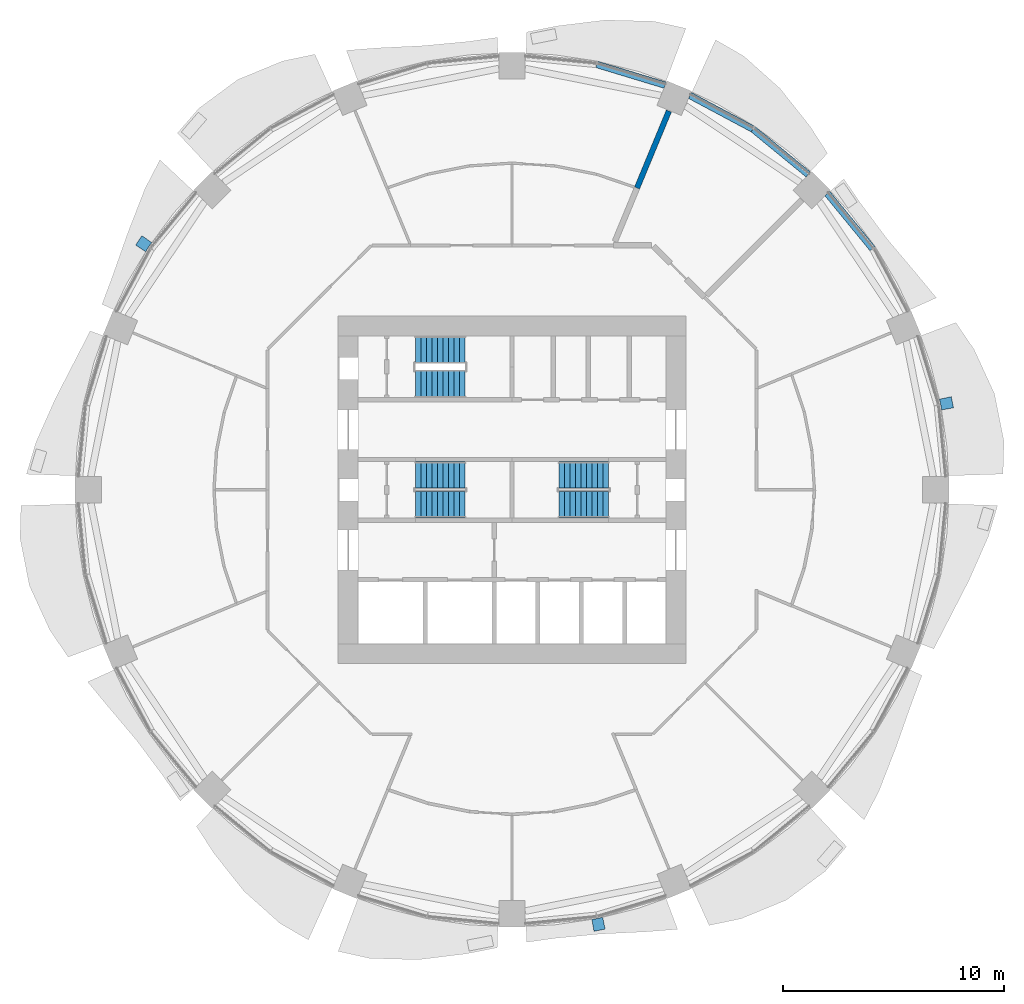
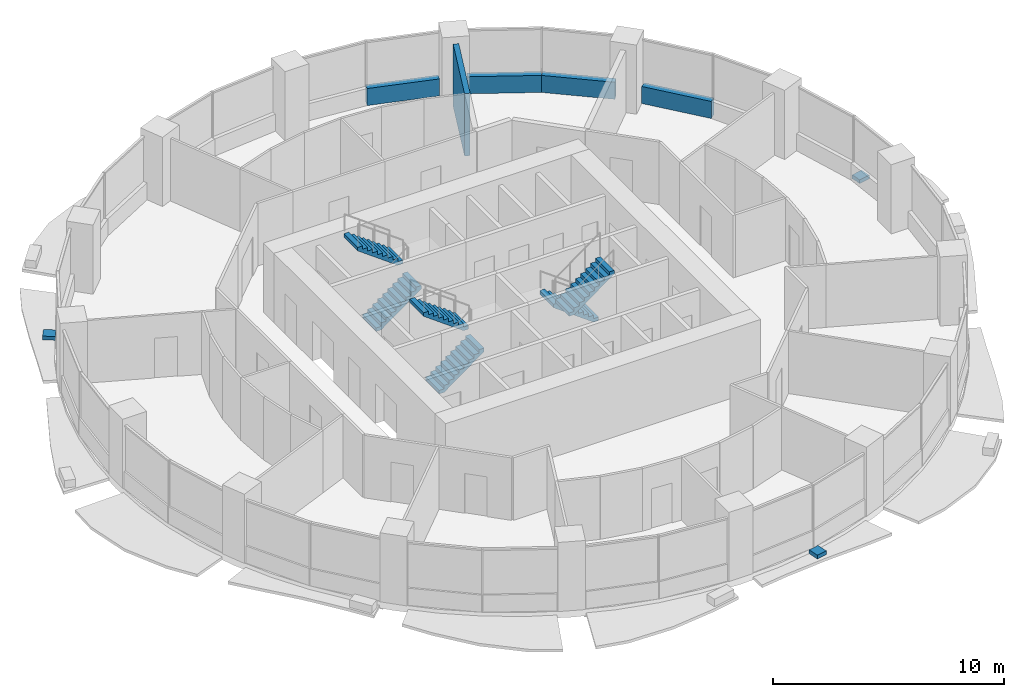
# One storey, part 11 of 15: 6 stair flights, 5 walls, 3 discrete accessories, 3 elements without a shape of their own.
"""IFC4 building model written with IfcOpenShell, lengths in metres."""

from ifc_helpers import new_model, si_unit, direction, frame, frame_2d, origin, place, context, subcontext, project, spatial, polyline, rectangle, outline, extrude, material, layer, layer_set, type_object, element, aggregate, save


model = new_model("IFC4")

# Units and contexts
model_context = context("Model", 3, precision=1e-05, world=origin(), true_north=direction((0.0, 1.0)))
body_context = subcontext(model_context, "Body", "Model", "MODEL_VIEW")
ifc_project = project(units=[si_unit("LENGTHUNIT", "METRE"), si_unit("AREAUNIT", "SQUARE_METRE"), si_unit("VOLUMEUNIT", "CUBIC_METRE"), si_unit("PLANEANGLEUNIT", "RADIAN"), si_unit("MASSUNIT", "GRAM", prefix="KILO")], contexts=[model_context])

# Site, building, storey
site_placement = place(None, origin())
site = spatial("IfcSite", under=ifc_project, at=site_placement, CompositionType="ELEMENT")
building_placement = place(site_placement, origin())
building = spatial("IfcBuilding", under=site, at=building_placement, Name="Polderwave Tower", CompositionType="ELEMENT")
storey_placement = place(building_placement, frame((0.0, 0.0, 33.5)))
storey = spatial("IfcBuildingStorey", under=building, at=storey_placement, Name="L08", CompositionType="ELEMENT", Elevation=33.5)

# Walls
ifc_material_1 = material(Name="Concrete C50/60 (board-marked)", Category="concrete")
ifc_layer_1 = layer(ifc_material_1, 0.300048828125)
ifc_layer_set_1 = layer_set([ifc_layer_1], Name="Concrete spandrel upstand C50/60")
wall_type_1 = type_object("IfcWallType", Name="Concrete spandrel upstand C50/60", PredefinedType="SOLIDWALL", material=ifc_layer_set_1)
for number, where, z_axis, x_axis, name in (
    (1, (16.32861328125, 10.9287109375, 0.0), (0.0, 0.0, 1.0), (-0.634380496993, 0.773020947345, 0.0), "Spandrel L08 2b"),
    (2, (13.41845703125, 14.285400390625, 0.0), (0.0, 0.0, 1.0), (-0.773020947345, 0.634380496993, 0.0), "Spandrel L08 3a"),
):
    element("IfcWall", number, at=place(storey_placement, frame(where, z_axis=z_axis, x_axis=x_axis)), inside=storey, type_object=wall_type_1, Name=name, PredefinedType="SOLIDWALL", context=body_context, shape_type="SweptSolid", body=[
        extrude(rectangle(XDim=3.220703125, YDim=0.300048828125, at=frame_2d((1.6103515625, 0.0))), origin(), (0.0, 0.0, 1.0), 0.89990234375),
    ])
wall_1_placement = place(storey_placement, frame((10.90380859375, 16.34521484375, 0.0), z_axis=(0.0, 0.0, 1.0), x_axis=(-0.882016961449, 0.471217656413, 0.0)))
element("IfcWall", 3, at=wall_1_placement, inside=storey, type_object=wall_type_1, Name="Spandrel L08 3b", PredefinedType="SOLIDWALL", context=body_context, shape_type="SweptSolid", body=[
    extrude(rectangle(XDim=3.220458984375, YDim=0.300048828125, at=frame_2d((1.6103515625, 0.0))), origin(), (0.0, 0.0, 1.0), 0.89990234375),
])
wall_2_placement = place(storey_placement, frame((6.9296875, 18.33251953125, 0.0), z_axis=(0.0, 0.0, 1.0), x_axis=(-0.956935111364, 0.290301899131, 0.0)))
element("IfcWall", 4, at=wall_2_placement, inside=storey, type_object=wall_type_1, Name="Spandrel L08 4a", PredefinedType="SOLIDWALL", context=body_context, shape_type="SweptSolid", body=[
    extrude(rectangle(XDim=3.220947265625, YDim=0.300048828125, at=frame_2d((1.6103515625, 0.0))), origin(), (0.0, 0.0, 1.0), 0.89990234375),
])
ifc_material_2 = material(Name="Fire-resisting board on steel studs, mineral wool", Category="steel")
ifc_layer_2 = layer(ifc_material_2, 0.25)
ifc_layer_set_2 = layer_set([ifc_layer_2], Name="Plant room wall 250 mm EI 120")
wall_type_2 = type_object("IfcWallType", Name="Plant room wall 250 mm EI 120", PredefinedType="PARTITIONING", material=ifc_layer_set_2)
wall_3_placement = place(storey_placement, frame((5.663818359375, 13.67333984375, 0.0), z_axis=(0.0, 0.0, 1.0), x_axis=(0.38265110277, 0.923892923205, 0.0)))
element("IfcWall", 5, at=wall_3_placement, inside=storey, type_object=wall_type_2, Name="IN-L08-W034", PredefinedType="PARTITIONING", context=body_context, shape_type="SweptSolid", body=[
    extrude(rectangle(XDim=3.77001953125, YDim=0.25, at=frame_2d((1.885009765625, 0.0))), origin(), (0.0, 0.0, 1.0), 3.300048828125),
])

# Stair, stair flights
ifc_material_3 = material(Name="Concrete C40/50", Category="concrete")
stair_type = type_object("IfcStairType", Name="Exit stair 1200 x 20 risers", PredefinedType="HALF_TURN_STAIR", material=ifc_material_3)
stair_1_placement = place(storey_placement, origin())
stair_1 = element("IfcStair", 6, at=stair_1_placement, inside=storey, type_object=stair_type, Name="L08 Exit stair A", PredefinedType="HALF_TURN_STAIR")
stair_flight_type = type_object("IfcStairFlightType", Name="Stair flight 1200", PredefinedType="STRAIGHT", material=ifc_material_3)
stair_flight_1_placement = place(storey_placement, frame((-4.3740234375, -0.675048828125, 0.0), z_axis=(0.0, 0.0, 1.0), x_axis=(1.0, 0.0, 0.0)))
stair_flight_1 = element("IfcStairFlight", 7, at=stair_flight_1_placement, type_object=stair_flight_type, Name="ST-A flight 1", NumberOfRisers=10, NumberOfTreads=9, PredefinedType="STRAIGHT", RiserHeight=0.1825, TreadLength=0.25, context=body_context, shape_type="SweptSolid", body=[
    extrude(outline(polyline([(0.0, 0.0), (0.0, 0.1826171875), (0.25, 0.1826171875), (0.25, 0.364990234375), (0.5, 0.364990234375), (0.5, 0.547607421875), (0.75, 0.547607421875), (0.75, 0.72998046875), (1.0, 0.72998046875), (1.0, 0.91259765625), (1.25, 0.91259765625), (1.25, 1.094970703125), (1.5, 1.094970703125), (1.5, 1.277587890625), (1.75, 1.277587890625), (1.75, 1.4599609375), (2.0, 1.4599609375), (2.0, 1.642578125), (2.25, 1.642578125), (2.25, 1.824951171875), (2.25, 1.456787109375), (0.254150390625, 0.0), (0.0, 0.0)])), frame((0.0, 0.60009765625, 0.0), z_axis=(0.0, -1.0, 0.0), x_axis=(1.0, 0.0, 0.0)), (0.0, 0.0, 1.0), 1.199951171875),
])
stair_flight_2_placement = place(storey_placement, frame((-2.1240234375, 0.675048828125, 1.824951171875), z_axis=(0.0, 0.0, 1.0), x_axis=(-1.0, 0.0, 0.0)))
stair_flight_2 = element("IfcStairFlight", 8, at=stair_flight_2_placement, type_object=stair_flight_type, Name="ST-A flight 2", NumberOfRisers=10, NumberOfTreads=9, PredefinedType="STRAIGHT", RiserHeight=0.1825, TreadLength=0.25, context=body_context, shape_type="SweptSolid", body=[
    extrude(outline(polyline([(0.0, 0.0), (0.0, 0.1826171875), (0.25, 0.1826171875), (0.25, 0.364990234375), (0.5, 0.364990234375), (0.5, 0.547607421875), (0.75, 0.547607421875), (0.75, 0.72998046875), (1.0, 0.72998046875), (1.0, 0.91259765625), (1.25, 0.91259765625), (1.25, 1.094970703125), (1.5, 1.094970703125), (1.5, 1.277587890625), (1.75, 1.277587890625), (1.75, 1.4599609375), (2.0, 1.4599609375), (2.0, 1.642578125), (2.25, 1.642578125), (2.25, 1.824951171875), (2.25, 1.456787109375), (0.254150390625, 0.0), (0.0, 0.0)])), frame((0.0, 0.60009765625, 0.0), z_axis=(0.0, -1.0, 0.0), x_axis=(1.0, 0.0, 0.0)), (0.0, 0.0, 1.0), 1.199951171875),
])
aggregate(stair_1, [stair_flight_1, stair_flight_2])

stair_2_placement = place(storey_placement, origin())
stair_2 = element("IfcStair", 9, at=stair_2_placement, inside=storey, type_object=stair_type, Name="L08 Exit stair B", PredefinedType="HALF_TURN_STAIR")
stair_flight_3_placement = place(storey_placement, frame((4.3740234375, 0.675048828125, 0.0), z_axis=(0.0, 0.0, 1.0), x_axis=(-1.0, 0.0, 0.0)))
stair_flight_3 = element("IfcStairFlight", 10, at=stair_flight_3_placement, type_object=stair_flight_type, Name="ST-B flight 1", NumberOfRisers=10, NumberOfTreads=9, PredefinedType="STRAIGHT", RiserHeight=0.1825, TreadLength=0.25, context=body_context, shape_type="SweptSolid", body=[
    extrude(outline(polyline([(0.0, 0.0), (0.0, 0.1826171875), (0.25, 0.1826171875), (0.25, 0.364990234375), (0.5, 0.364990234375), (0.5, 0.547607421875), (0.75, 0.547607421875), (0.75, 0.72998046875), (1.0, 0.72998046875), (1.0, 0.91259765625), (1.25, 0.91259765625), (1.25, 1.094970703125), (1.5, 1.094970703125), (1.5, 1.277587890625), (1.75, 1.277587890625), (1.75, 1.4599609375), (2.0, 1.4599609375), (2.0, 1.642578125), (2.25, 1.642578125), (2.25, 1.824951171875), (2.25, 1.456787109375), (0.254150390625, 0.0), (0.0, 0.0)])), frame((0.0, 0.60009765625, 0.0), z_axis=(0.0, -1.0, 0.0), x_axis=(1.0, 0.0, 0.0)), (0.0, 0.0, 1.0), 1.199951171875),
])
stair_flight_4_placement = place(storey_placement, frame((2.1240234375, -0.675048828125, 1.824951171875), z_axis=(0.0, 0.0, 1.0), x_axis=(1.0, 0.0, 0.0)))
stair_flight_4 = element("IfcStairFlight", 11, at=stair_flight_4_placement, type_object=stair_flight_type, Name="ST-B flight 2", NumberOfRisers=10, NumberOfTreads=9, PredefinedType="STRAIGHT", RiserHeight=0.1825, TreadLength=0.25, context=body_context, shape_type="SweptSolid", body=[
    extrude(outline(polyline([(0.0, 0.0), (0.0, 0.1826171875), (0.25, 0.1826171875), (0.25, 0.364990234375), (0.5, 0.364990234375), (0.5, 0.547607421875), (0.75, 0.547607421875), (0.75, 0.72998046875), (1.0, 0.72998046875), (1.0, 0.91259765625), (1.25, 0.91259765625), (1.25, 1.094970703125), (1.5, 1.094970703125), (1.5, 1.277587890625), (1.75, 1.277587890625), (1.75, 1.4599609375), (2.0, 1.4599609375), (2.0, 1.642578125), (2.25, 1.642578125), (2.25, 1.824951171875), (2.25, 1.456787109375), (0.254150390625, 0.0), (0.0, 0.0)])), frame((0.0, 0.60009765625, 0.0), z_axis=(0.0, -1.0, 0.0), x_axis=(1.0, 0.0, 0.0)), (0.0, 0.0, 1.0), 1.199951171875),
])
aggregate(stair_2, [stair_flight_3, stair_flight_4])

stair_3_placement = place(storey_placement, origin())
stair_3 = element("IfcStair", 12, at=stair_3_placement, inside=storey, type_object=stair_type, Name="L08 Exit stair C", PredefinedType="HALF_TURN_STAIR")
stair_flight_5_placement = place(storey_placement, frame((-4.3740234375, 4.77392578125, 0.0), z_axis=(0.0, 0.0, 1.0), x_axis=(1.0, 0.0, 0.0)))
stair_flight_5 = element("IfcStairFlight", 13, at=stair_flight_5_placement, type_object=stair_flight_type, Name="ST-C flight 1", NumberOfRisers=10, NumberOfTreads=9, PredefinedType="STRAIGHT", RiserHeight=0.1825, TreadLength=0.25, context=body_context, shape_type="SweptSolid", body=[
    extrude(outline(polyline([(0.0, 0.0), (0.0, 0.1826171875), (0.25, 0.1826171875), (0.25, 0.364990234375), (0.5, 0.364990234375), (0.5, 0.547607421875), (0.75, 0.547607421875), (0.75, 0.72998046875), (1.0, 0.72998046875), (1.0, 0.91259765625), (1.25, 0.91259765625), (1.25, 1.094970703125), (1.5, 1.094970703125), (1.5, 1.277587890625), (1.75, 1.277587890625), (1.75, 1.4599609375), (2.0, 1.4599609375), (2.0, 1.642578125), (2.25, 1.642578125), (2.25, 1.824951171875), (2.25, 1.456787109375), (0.254150390625, 0.0), (0.0, 0.0)])), frame((0.0, 0.60009765625, 0.0), z_axis=(0.0, -1.0, 0.0), x_axis=(1.0, 0.0, 0.0)), (0.0, 0.0, 1.0), 1.199951171875),
])
stair_flight_6_placement = place(storey_placement, frame((-2.1240234375, 6.3740234375, 1.824951171875), z_axis=(0.0, 0.0, 1.0), x_axis=(-1.0, 0.0, 0.0)))
stair_flight_6 = element("IfcStairFlight", 14, at=stair_flight_6_placement, type_object=stair_flight_type, Name="ST-C flight 2", NumberOfRisers=10, NumberOfTreads=9, PredefinedType="STRAIGHT", RiserHeight=0.1825, TreadLength=0.25, context=body_context, shape_type="SweptSolid", body=[
    extrude(outline(polyline([(0.0, 0.0), (0.0, 0.1826171875), (0.25, 0.1826171875), (0.25, 0.364990234375), (0.5, 0.364990234375), (0.5, 0.547607421875), (0.75, 0.547607421875), (0.75, 0.72998046875), (1.0, 0.72998046875), (1.0, 0.91259765625), (1.25, 0.91259765625), (1.25, 1.094970703125), (1.5, 1.094970703125), (1.5, 1.277587890625), (1.75, 1.277587890625), (1.75, 1.4599609375), (2.0, 1.4599609375), (2.0, 1.642578125), (2.25, 1.642578125), (2.25, 1.824951171875), (2.25, 1.456787109375), (0.254150390625, 0.0), (0.0, 0.0)])), frame((0.0, 0.60009765625, 0.0), z_axis=(0.0, -1.0, 0.0), x_axis=(1.0, 0.0, 0.0)), (0.0, 0.0, 1.0), 1.199951171875),
])
aggregate(stair_3, [stair_flight_5, stair_flight_6])

# Discrete accessories
ifc_material_4 = material(Name="Steel S355", Category="steel")
discrete_accessory_type = type_object("IfcDiscreteAccessoryType", Name="Band bracket pad", PredefinedType="BRACKET", material=ifc_material_4)
discrete_accessory_1_placement = place(storey_placement, frame((0.0, 0.0, -0.199951171875)))
element("IfcDiscreteAccessory", 15, at=discrete_accessory_1_placement, inside=storey, type_object=discrete_accessory_type, Name="Band bracket L08 1", PredefinedType="BRACKET", context=body_context, shape_type="SweptSolid", body=[
    extrude(outline(polyline([(19.456298828125, 3.615478515625), (19.41943359375, 3.86279296875), (19.35888671875, 4.105224609375), (19.896728515625, 4.219482421875), (19.9970703125, 3.716064453125), (19.456298828125, 3.615478515625)])), origin(), (0.0, 0.0, 1.0), 0.199951171875),
])
discrete_accessory_2_placement = place(storey_placement, frame((0.0, 0.0, -0.199951171875)))
element("IfcDiscreteAccessory", 16, at=discrete_accessory_2_placement, inside=storey, type_object=discrete_accessory_type, Name="Band bracket L08 7", PredefinedType="BRACKET", context=body_context, shape_type="SweptSolid", body=[
    extrude(outline(polyline([(-16.314208984375, 11.201171875), (-16.463134765625, 11.000244140625), (-16.591552734375, 10.785888671875), (-17.052734375, 11.085693359375), (-16.767578125, 11.512451171875), (-16.314208984375, 11.201171875)])), origin(), (0.0, 0.0, 1.0), 0.199951171875),
])
discrete_accessory_3_placement = place(storey_placement, frame((0.0, 0.0, -0.199951171875)))
element("IfcDiscreteAccessory", 17, at=discrete_accessory_3_placement, inside=storey, type_object=discrete_accessory_type, Name="Band bracket L08 13", PredefinedType="BRACKET", context=body_context, shape_type="SweptSolid", body=[
    extrude(outline(polyline([(3.615478515625, -19.456298828125), (3.86279296875, -19.41943359375), (4.105224609375, -19.35888671875), (4.219482421875, -19.896728515625), (3.716064453125, -19.9970703125), (3.615478515625, -19.456298828125)])), origin(), (0.0, 0.0, 1.0), 0.199951171875),
])

save(model, "model.ifc")
